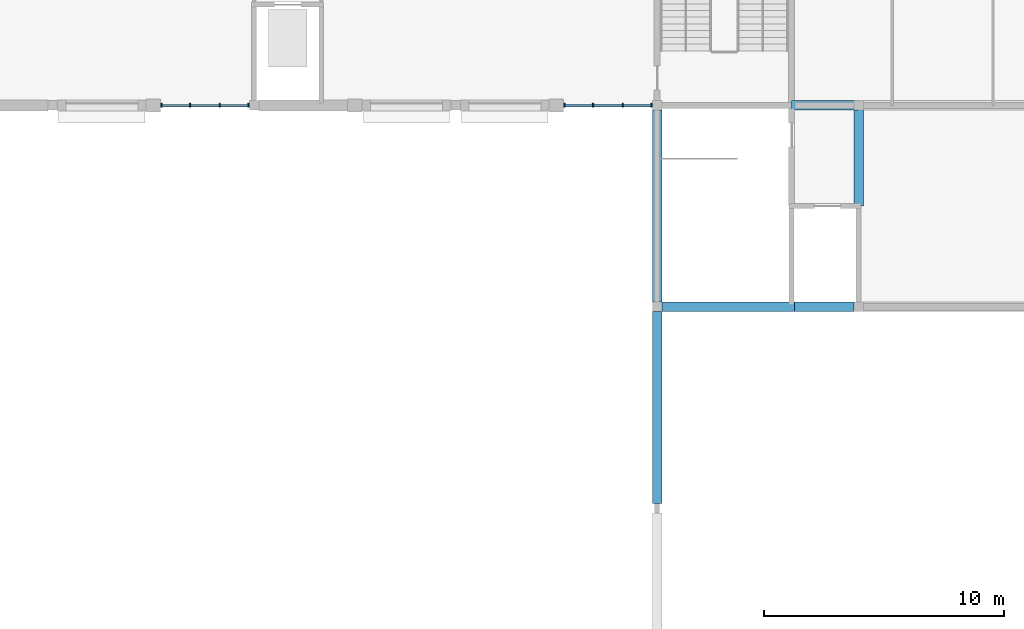
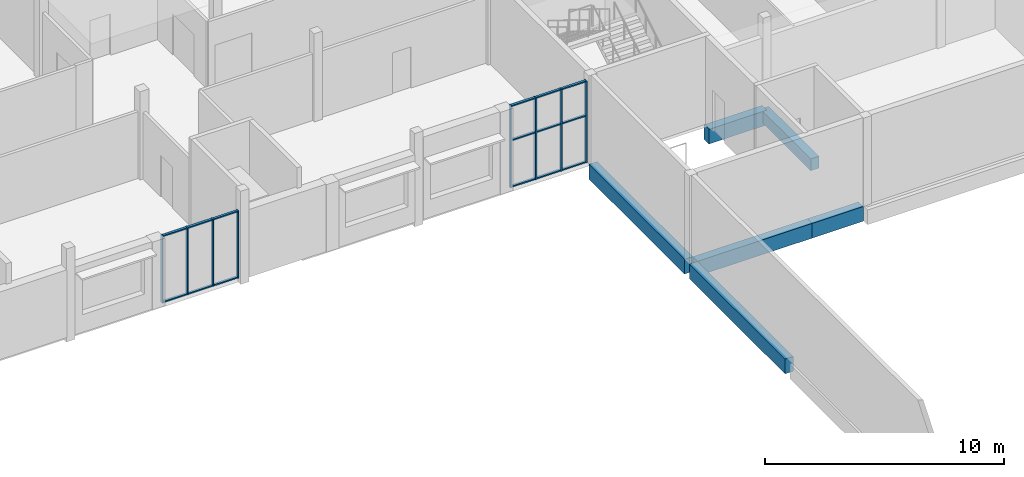
# One storey, part 43 of 101: 23 members, 6 beams, 2 elements without a shape of their own.
"""IFC4 building model written with IfcOpenShell, lengths in metres."""

import ifcopenshell
import ifcopenshell.guid

model = None  # the IFC model being written
_history = None  # IfcOwnerHistory: only IFC2X3 demands one
_inside = {}  # id of a spatial element -> (the spatial element, [elements in it])
_under = {}  # id of a project, library or spatial element -> (it, [spatial elements below it])
_declared = {}  # id of a project -> (the project, [libraries it declares])
_typed = {}  # id of a type object -> (the type object, [elements of that type])
_made_of = {}  # id of a material, layer set ... -> (it, [elements and type objects made of it])


def new_model(schema):
    """Start an empty IFC model of exactly this schema.

    Asked for "IFC4X3", IfcOpenShell would pick the latest addendum, in which some entities
    have other attributes; the version numbers below select the first issue.
    IFC2X3 requires an IfcOwnerHistory on every rooted entity: one is made here for all.
    """
    global model, _history
    if schema == "IFC4X3":
        model = ifcopenshell.file(schema_version=(4, 3, 0, 0))
    else:
        model = ifcopenshell.file(schema=schema)
    _inside.clear()
    _under.clear()
    _declared.clear()
    _typed.clear()
    _made_of.clear()
    _history = None
    if model.schema == "IFC2X3":
        org = make("IfcOrganization", Name="unknown")
        user = make(
            "IfcPersonAndOrganization",
            ThePerson=make("IfcPerson", FamilyName="unknown"),
            TheOrganization=org,
        )
        app = make(
            "IfcApplication",
            ApplicationDeveloper=org,
            Version="unknown",
            ApplicationFullName="unknown",
            ApplicationIdentifier="unknown",
        )
        _history = make(
            "IfcOwnerHistory",
            OwningUser=user,
            OwningApplication=app,
            ChangeAction="ADDED",
            CreationDate=0,
        )
    return model


def make(cls, **values):
    """One entity of the class cls with the attributes given. An attribute that is None is left unset."""
    return model.create_entity(
        cls, **{name: value for name, value in values.items() if value is not None}
    )


def rooted(cls, **values):
    """An entity with a GlobalId (a new one), such as an element, a storey or a relation."""
    return make(cls, GlobalId=ifcopenshell.guid.new(), OwnerHistory=_history, **values)


def si_unit(unit_type, name, prefix=None):
    """IfcSIUnit, for example si_unit("LENGTHUNIT", "METRE", prefix="MILLI")."""
    return make("IfcSIUnit", UnitType=unit_type, Prefix=prefix, Name=name)


def assignment(units):
    """IfcUnitAssignment: the units of a project."""
    return None if units is None else make("IfcUnitAssignment", Units=units)


def point(xyz):
    """IfcCartesianPoint."""
    return None if xyz is None else make("IfcCartesianPoint", Coordinates=xyz)


def direction(xyz):
    """IfcDirection."""
    return None if xyz is None else make("IfcDirection", DirectionRatios=xyz)


def frame(location, z_axis=None, x_axis=None):
    """IfcAxis2Placement3D, a coordinate frame: its origin and axes. An axis left out is left unset."""
    return make(
        "IfcAxis2Placement3D",
        Location=point(location),
        Axis=direction(z_axis),
        RefDirection=direction(x_axis),
    )


def frame_2d(location, x_axis=None):
    """IfcAxis2Placement2D, a coordinate frame in the plane: its origin and x axis."""
    return make(
        "IfcAxis2Placement2D", Location=point(location), RefDirection=direction(x_axis)
    )


def origin():
    """The frame at (0, 0, 0) with its axes left unset."""
    return frame((0.0, 0.0, 0.0))


def origin_2d():
    """The frame at (0, 0) in the plane with its x axis left unset."""
    return frame_2d((0.0, 0.0))


def place(relative_to, where):
    """IfcLocalPlacement: puts the frame where relative to a parent placement (None: the world)."""
    return make(
        "IfcLocalPlacement", PlacementRelTo=relative_to, RelativePlacement=where
    )


def context(
    kind, dimensions, precision=None, world=None, true_north=None, identifier=None
):
    """IfcGeometricRepresentationContext, for example the 3D "Model" context."""
    return make(
        "IfcGeometricRepresentationContext",
        ContextIdentifier=identifier,
        ContextType=kind,
        CoordinateSpaceDimension=dimensions,
        Precision=precision,
        WorldCoordinateSystem=world,
        TrueNorth=true_north,
    )


def subcontext(parent, identifier, kind, view, scale=None):
    """IfcGeometricRepresentationSubContext, for example "Body" below "Model"."""
    return make(
        "IfcGeometricRepresentationSubContext",
        ContextIdentifier=identifier,
        ContextType=kind,
        ParentContext=parent,
        TargetScale=scale,
        TargetView=view,
    )


def project(units=None, contexts=None):
    """IfcProject with its units and contexts."""
    return rooted(
        "IfcProject",
        Name="project",
        RepresentationContexts=contexts,
        UnitsInContext=assignment(units),
    )


def spatial(cls, under=None, at=None, **own):
    """A site, building, storey or space (cls), placed at a placement, below another one or the project."""
    s = rooted(cls, ObjectPlacement=at, **own)
    if under is not None:
        _under.setdefault(under.id(), (under, []))[1].append(s)
    return s


def profile(cls, at=None, kind="AREA", **sizes):
    """A parametric profile (cls). Its sizes go by their IFC names, for example OverallWidth=200.0."""
    return make(cls, ProfileType=kind, Position=at, **sizes)


def rectangle(**sizes):
    """IfcRectangleProfileDef."""
    return profile("IfcRectangleProfileDef", **sizes)


def extrude(swept, where, along, depth):
    """IfcExtrudedAreaSolid: the profile swept, set in the frame where, extruded along a direction by depth."""
    return make(
        "IfcExtrudedAreaSolid",
        SweptArea=swept,
        Position=where,
        ExtrudedDirection=direction(along),
        Depth=depth,
    )


def shape(context_of_items, identifier, shape_type, items):
    """IfcShapeRepresentation: the items that make up one representation, for example the "Body"."""
    return make(
        "IfcShapeRepresentation",
        ContextOfItems=context_of_items,
        RepresentationIdentifier=identifier,
        RepresentationType=shape_type,
        Items=items,
    )


def material(Name=None, Category=None):
    """IfcMaterial."""
    return make("IfcMaterial", Name=Name, Category=Category)


def material_profile(
    of_material, cross_section, Name=None, Category=None, Priority=None
):
    """IfcMaterialProfile: a cross section and its material."""
    return make(
        "IfcMaterialProfile",
        Name=Name,
        Material=of_material,
        Profile=cross_section,
        Priority=Priority,
        Category=Category,
    )


def profile_set(profiles, Name=None, composite=None):
    """IfcMaterialProfileSet."""
    return make(
        "IfcMaterialProfileSet",
        Name=Name,
        MaterialProfiles=profiles,
        CompositeProfile=composite,
    )


def made_of(thing, what):
    """Note that an element or type object is made of a material, layer set ...; save() writes the relation."""
    if what is not None:
        _made_of.setdefault(what.id(), (what, []))[1].append(thing)
    return thing


def type_object(cls, material=None, **own):
    """A type object (cls), such as IfcWallType, which elements share."""
    return made_of(rooted(cls, **own), material)


def element(
    cls,
    number,
    at=None,
    inside=None,
    cuts=None,
    type_object=None,
    material=None,
    context=None,
    identifier="Body",
    shape_type=None,
    held_by="IfcProductDefinitionShape",
    body=None,
    shapes=None,
    **own,
):
    """One element of the class cls, such as IfcWall. Its Tag is "e" and its number.

    at: its placement. inside: the storey or other place that contains it. cuts: it is an
    opening in that element (IfcRelVoidsElement). A single representation is given by context,
    identifier, shape_type and body (its items); several are given by shapes. held_by: the class
    of the entity that holds the representations. save() writes the other relations.
    """
    e = rooted(cls, Tag="e%d" % number, ObjectPlacement=at, **own)
    if body is not None:
        shapes = [shape(context, identifier, shape_type, body)]
    if shapes is not None:
        e.Representation = make(held_by, Representations=shapes)
    if inside is not None:
        _inside.setdefault(inside.id(), (inside, []))[1].append(e)
    if cuts is not None:
        rooted(
            "IfcRelVoidsElement", RelatingBuildingElement=cuts, RelatedOpeningElement=e
        )
    if type_object is not None:
        _typed.setdefault(type_object.id(), (type_object, []))[1].append(e)
    return made_of(e, material)


def aggregate(whole, parts):
    """IfcRelAggregates: a whole, such as a stair, and the parts it consists of."""
    return rooted("IfcRelAggregates", RelatingObject=whole, RelatedObjects=parts)


def save(model, path):
    """Write the relations noted so far, then the file.

    IfcRelAggregates (storeys below a building ...), IfcRelContainedInSpatialStructure (elements
    in a storey), IfcRelDefinesByType, IfcRelAssociatesMaterial and IfcRelDeclares: one each for
    every whole, place, type object, material and project.
    """
    for whole, parts in _under.values():
        aggregate(whole, parts)
    for where, things in _inside.values():
        rooted(
            "IfcRelContainedInSpatialStructure",
            RelatedElements=things,
            RelatingStructure=where,
        )
    for kind, things in _typed.values():
        rooted("IfcRelDefinesByType", RelatedObjects=things, RelatingType=kind)
    for what, things in _made_of.values():
        rooted("IfcRelAssociatesMaterial", RelatedObjects=things, RelatingMaterial=what)
    for by, libraries in _declared.values():
        rooted("IfcRelDeclares", RelatingContext=by, RelatedDefinitions=libraries)
    model.write(path)


model = new_model("IFC4")

# Units and contexts
model_context = context("Model", 3, precision=1e-05, world=origin(), true_north=direction((0.0, 1.0)))
body_context = subcontext(model_context, "Body", "Model", "MODEL_VIEW")
ifc_project = project(units=[si_unit("LENGTHUNIT", "METRE"), si_unit("AREAUNIT", "SQUARE_METRE"), si_unit("VOLUMEUNIT", "CUBIC_METRE"), si_unit("PLANEANGLEUNIT", "RADIAN"), si_unit("MASSUNIT", "GRAM", prefix="KILO")], contexts=[model_context])

# Site, building, storey
site_placement = place(None, origin())
site = spatial("IfcSite", under=ifc_project, at=site_placement, CompositionType="ELEMENT")
building_placement = place(site_placement, origin())
building = spatial("IfcBuilding", under=site, at=building_placement, Name="Fescue Hill Polytechnic", CompositionType="ELEMENT")
storey_placement = place(building_placement, frame((0.0, 0.0, 9.0)))
storey = spatial("IfcBuildingStorey", under=building, at=storey_placement, Name="L02", CompositionType="ELEMENT", Elevation=9.0)

# Beams
ifc_material_1 = material(Name="Concrete 35 MPa", Category="concrete")
ifc_material_profile_1 = material_profile(ifc_material_1, rectangle(XDim=0.39990234375, YDim=0.60009765625, at=origin_2d()), Name="RC 400x600")
ifc_profile_set_1 = profile_set([ifc_material_profile_1], Name="Concrete 35 MPa")
beam_type_1 = type_object("IfcBeamType", Name="Beam RC 400x600", PredefinedType="BEAM", material=ifc_profile_set_1)
beam_1_placement = place(storey_placement, frame((100.800048828125, 105.0, -0.550048828125), z_axis=(0.0, 1.0, 0.0), x_axis=(-1.0, 0.0, 0.0)))
element("IfcBeam", 1, at=beam_1_placement, inside=storey, type_object=beam_type_1, Name="BM-L02-0118", PredefinedType="BEAM", context=body_context, shape_type="SweptSolid", body=[
    extrude(rectangle(XDim=0.39990234375, YDim=0.60009765625, at=origin_2d()), origin(), (0.0, 0.0, 1.0), 4.199951171875),
])
ifc_material_profile_2 = material_profile(ifc_material_1, rectangle(XDim=0.39990234375, YDim=0.75, at=origin_2d()), Name="RC 400x750")
ifc_profile_set_2 = profile_set([ifc_material_profile_2], Name="Concrete 35 MPa")
beam_type_2 = type_object("IfcBeamType", Name="Beam RC 400x750", PredefinedType="BEAM", material=ifc_profile_set_2)
beam_2_placement = place(storey_placement, frame((98.0, 109.199951171875, -0.625), z_axis=(1.0, 0.0, 0.0), x_axis=(0.0, 1.0, 0.0)))
element("IfcBeam", 2, at=beam_2_placement, inside=storey, type_object=beam_type_2, Name="BM-L02-0116", PredefinedType="BEAM", context=body_context, shape_type="SweptSolid", body=[
    extrude(rectangle(XDim=0.39990234375, YDim=0.75, at=origin_2d()), origin(), (0.0, 0.0, 1.0), 2.7900390625),
])
for number, where, z_axis, x_axis, name in (
    (3, (92.39990234375, 100.60009765625, -0.375), (0.0, -1.0, 0.0), (1.0, 0.0, 0.0), "BM-L02-0164"),
    (4, (92.39990234375, 101.0, -0.375), (0.0, 1.0, 0.0), (-1.0, 0.0, 0.0), "BM-L02-0165"),
):
    element("IfcBeam", number, at=place(storey_placement, frame(where, z_axis=z_axis, x_axis=x_axis)), inside=storey, type_object=beam_type_2, Name=name, PredefinedType="BEAM", context=body_context, shape_type="SweptSolid", body=[
        extrude(rectangle(XDim=0.39990234375, YDim=0.75, at=origin_2d()), origin(), (0.0, 0.0, 1.0), 8.0),
    ])
beam_3_placement = place(storey_placement, frame((92.60009765625, 100.800048828125, -0.375), z_axis=(1.0, 0.0, 0.0), x_axis=(0.0, 1.0, 0.0)))
element("IfcBeam", 5, at=beam_3_placement, inside=storey, type_object=beam_type_2, Name="BM-L02-0167", PredefinedType="BEAM", context=body_context, shape_type="SweptSolid", body=[
    extrude(rectangle(XDim=0.39990234375, YDim=0.75, at=origin_2d()), origin(), (0.0, 0.0, 1.0), 5.52490234375),
])
beam_4_placement = place(storey_placement, frame((98.125, 100.800048828125, -0.375), z_axis=(1.0, 0.0, 0.0), x_axis=(0.0, 1.0, 0.0)))
element("IfcBeam", 6, at=beam_4_placement, inside=storey, type_object=beam_type_2, Name="BM-L02-0168", PredefinedType="BEAM", context=body_context, shape_type="SweptSolid", body=[
    extrude(rectangle(XDim=0.39990234375, YDim=0.75, at=origin_2d()), origin(), (0.0, 0.0, 1.0), 2.47509765625),
])

# Curtain wall, members
ifc_material_2 = material(Name="Glass", Category="glass")
curtain_wall_type = type_object("IfcCurtainWallType", Name="Curtain wall structural glazing", PredefinedType="NOTDEFINED", material=ifc_material_2)
curtain_wall_1_placement = place(storey_placement, origin())
curtain_wall_1 = element("IfcCurtainWall", 7, at=curtain_wall_1_placement, inside=storey, type_object=curtain_wall_type, Name="CW-L02-V4b-X2", PredefinedType="NOTDEFINED")
ifc_material_3 = material(Name="Powder-coated aluminium", Category="aluminium")
ifc_material_profile_3 = material_profile(ifc_material_3, rectangle(XDim=0.159912109375, YDim=0.06005859375, at=origin_2d()), Name="Mullion aluminium 60x160")
ifc_profile_set_3 = profile_set([ifc_material_profile_3], Name="Powder-coated aluminium")
member_type_1 = type_object("IfcMemberType", Name="Mullion aluminium 60x160", PredefinedType="MULLION", material=ifc_profile_set_3)
member_1_placement = place(storey_placement, frame((88.530029296875, 109.199951171875, 0.0), z_axis=(0.0, 0.0, 1.0), x_axis=(0.0, 1.0, 0.0)))
member_1 = element("IfcMember", 8, at=member_1_placement, type_object=member_type_1, Name="CW170 mullion 1", PredefinedType="MULLION", context=body_context, shape_type="SweptSolid", body=[
    extrude(rectangle(XDim=0.159912109375, YDim=0.06005859375, at=origin_2d()), origin(), (0.0, 0.0, 1.0), 4.179931640625),
])
member_2_placement = place(storey_placement, frame((89.7333984375, 109.199951171875, 0.0), z_axis=(0.0, 0.0, 1.0), x_axis=(0.0, 1.0, 0.0)))
member_2 = element("IfcMember", 9, at=member_2_placement, type_object=member_type_1, Name="CW170 mullion 2", PredefinedType="MULLION", context=body_context, shape_type="SweptSolid", body=[
    extrude(rectangle(XDim=0.159912109375, YDim=0.06005859375, at=origin_2d()), origin(), (0.0, 0.0, 1.0), 4.179931640625),
])
member_3_placement = place(storey_placement, frame((90.966552734375, 109.199951171875, 0.0), z_axis=(0.0, 0.0, 1.0), x_axis=(0.0, 1.0, 0.0)))
member_3 = element("IfcMember", 10, at=member_3_placement, type_object=member_type_1, Name="CW170 mullion 3", PredefinedType="MULLION", context=body_context, shape_type="SweptSolid", body=[
    extrude(rectangle(XDim=0.159912109375, YDim=0.06005859375, at=origin_2d()), origin(), (0.0, 0.0, 1.0), 4.179931640625),
])
member_4_placement = place(storey_placement, frame((92.169921875, 109.199951171875, 0.0), z_axis=(0.0, 0.0, 1.0), x_axis=(0.0, 1.0, 0.0)))
member_4 = element("IfcMember", 11, at=member_4_placement, type_object=member_type_1, Name="CW170 mullion 4", PredefinedType="MULLION", context=body_context, shape_type="SweptSolid", body=[
    extrude(rectangle(XDim=0.159912109375, YDim=0.06005859375, at=origin_2d()), origin(), (0.0, 0.0, 1.0), 4.179931640625),
])

curtain_wall_2_placement = place(storey_placement, origin())
curtain_wall_2 = element("IfcCurtainWall", 12, at=curtain_wall_2_placement, inside=storey, type_object=curtain_wall_type, Name="CW-L02-V4b-X3", PredefinedType="NOTDEFINED")
member_5_placement = place(storey_placement, frame((71.72998046875, 109.199951171875, 0.0), z_axis=(0.0, 0.0, 1.0), x_axis=(0.0, 1.0, 0.0)))
member_5 = element("IfcMember", 13, at=member_5_placement, type_object=member_type_1, Name="CW176 mullion 1", PredefinedType="MULLION", context=body_context, shape_type="SweptSolid", body=[
    extrude(rectangle(XDim=0.159912109375, YDim=0.06005859375, at=origin_2d()), origin(), (0.0, 0.0, 1.0), 3.429931640625),
])
member_6_placement = place(storey_placement, frame((72.933349609375, 109.199951171875, 0.0), z_axis=(0.0, 0.0, 1.0), x_axis=(0.0, 1.0, 0.0)))
member_6 = element("IfcMember", 14, at=member_6_placement, type_object=member_type_1, Name="CW176 mullion 2", PredefinedType="MULLION", context=body_context, shape_type="SweptSolid", body=[
    extrude(rectangle(XDim=0.159912109375, YDim=0.06005859375, at=origin_2d()), origin(), (0.0, 0.0, 1.0), 3.429931640625),
])
member_7_placement = place(storey_placement, frame((74.166748046875, 109.199951171875, 0.0), z_axis=(0.0, 0.0, 1.0), x_axis=(0.0, 1.0, 0.0)))
member_7 = element("IfcMember", 15, at=member_7_placement, type_object=member_type_1, Name="CW176 mullion 3", PredefinedType="MULLION", context=body_context, shape_type="SweptSolid", body=[
    extrude(rectangle(XDim=0.159912109375, YDim=0.06005859375, at=origin_2d()), origin(), (0.0, 0.0, 1.0), 3.429931640625),
])
member_8_placement = place(storey_placement, frame((75.3701171875, 109.199951171875, 0.0), z_axis=(0.0, 0.0, 1.0), x_axis=(0.0, 1.0, 0.0)))
member_8 = element("IfcMember", 16, at=member_8_placement, type_object=member_type_1, Name="CW176 mullion 4", PredefinedType="MULLION", context=body_context, shape_type="SweptSolid", body=[
    extrude(rectangle(XDim=0.159912109375, YDim=0.06005859375, at=origin_2d()), origin(), (0.0, 0.0, 1.0), 3.429931640625),
])

# Member
ifc_material_profile_4 = material_profile(ifc_material_3, rectangle(XDim=0.1201171875, YDim=0.06005859375, at=origin_2d()), Name="Transom aluminium 60x120")
ifc_profile_set_4 = profile_set([ifc_material_profile_4], Name="Powder-coated aluminium")
member_type_2 = type_object("IfcMemberType", Name="Transom aluminium 60x120", PredefinedType="USERDEFINED", material=ifc_profile_set_4)
member_9_placement = place(storey_placement, frame((88.56005859375, 109.199951171875, 0.030029296875), z_axis=(1.0, 0.0, 0.0), x_axis=(0.0, 1.0, 0.0)))
member_9 = element("IfcMember", 17, at=member_9_placement, type_object=member_type_2, Name="CW170 transom 1.1", ObjectType="TRANSOM", PredefinedType="USERDEFINED", context=body_context, shape_type="SweptSolid", body=[
    extrude(rectangle(XDim=0.1201171875, YDim=0.06005859375, at=origin_2d()), origin(), (0.0, 0.0, 1.0), 1.143310546875),
])

member_10_placement = place(storey_placement, frame((88.56005859375, 109.199951171875, 2.39990234375), z_axis=(1.0, 0.0, 0.0), x_axis=(0.0, 1.0, 0.0)))
member_10 = element("IfcMember", 18, at=member_10_placement, type_object=member_type_2, Name="CW170 transom 1.2", ObjectType="TRANSOM", PredefinedType="USERDEFINED", context=body_context, shape_type="SweptSolid", body=[
    extrude(rectangle(XDim=0.1201171875, YDim=0.06005859375, at=origin_2d()), origin(), (0.0, 0.0, 1.0), 1.143310546875),
])

member_11_placement = place(storey_placement, frame((88.56005859375, 109.199951171875, 4.14990234375), z_axis=(1.0, 0.0, 0.0), x_axis=(0.0, 1.0, 0.0)))
member_11 = element("IfcMember", 19, at=member_11_placement, type_object=member_type_2, Name="CW170 transom 1.3", ObjectType="TRANSOM", PredefinedType="USERDEFINED", context=body_context, shape_type="SweptSolid", body=[
    extrude(rectangle(XDim=0.1201171875, YDim=0.06005859375, at=origin_2d()), origin(), (0.0, 0.0, 1.0), 1.143310546875),
])

member_12_placement = place(storey_placement, frame((89.763427734375, 109.199951171875, 0.030029296875), z_axis=(1.0, 0.0, 0.0), x_axis=(0.0, 1.0, 0.0)))
member_12 = element("IfcMember", 20, at=member_12_placement, type_object=member_type_2, Name="CW170 transom 2.1", ObjectType="TRANSOM", PredefinedType="USERDEFINED", context=body_context, shape_type="SweptSolid", body=[
    extrude(rectangle(XDim=0.1201171875, YDim=0.06005859375, at=origin_2d()), origin(), (0.0, 0.0, 1.0), 1.17333984375),
])

member_13_placement = place(storey_placement, frame((89.763427734375, 109.199951171875, 2.39990234375), z_axis=(1.0, 0.0, 0.0), x_axis=(0.0, 1.0, 0.0)))
member_13 = element("IfcMember", 21, at=member_13_placement, type_object=member_type_2, Name="CW170 transom 2.2", ObjectType="TRANSOM", PredefinedType="USERDEFINED", context=body_context, shape_type="SweptSolid", body=[
    extrude(rectangle(XDim=0.1201171875, YDim=0.06005859375, at=origin_2d()), origin(), (0.0, 0.0, 1.0), 1.17333984375),
])

member_14_placement = place(storey_placement, frame((89.763427734375, 109.199951171875, 4.14990234375), z_axis=(1.0, 0.0, 0.0), x_axis=(0.0, 1.0, 0.0)))
member_14 = element("IfcMember", 22, at=member_14_placement, type_object=member_type_2, Name="CW170 transom 2.3", ObjectType="TRANSOM", PredefinedType="USERDEFINED", context=body_context, shape_type="SweptSolid", body=[
    extrude(rectangle(XDim=0.1201171875, YDim=0.06005859375, at=origin_2d()), origin(), (0.0, 0.0, 1.0), 1.17333984375),
])

member_15_placement = place(storey_placement, frame((90.99658203125, 109.199951171875, 0.030029296875), z_axis=(1.0, 0.0, 0.0), x_axis=(0.0, 1.0, 0.0)))
member_15 = element("IfcMember", 23, at=member_15_placement, type_object=member_type_2, Name="CW170 transom 3.1", ObjectType="TRANSOM", PredefinedType="USERDEFINED", context=body_context, shape_type="SweptSolid", body=[
    extrude(rectangle(XDim=0.1201171875, YDim=0.06005859375, at=origin_2d()), origin(), (0.0, 0.0, 1.0), 1.143310546875),
])

member_16_placement = place(storey_placement, frame((90.99658203125, 109.199951171875, 2.39990234375), z_axis=(1.0, 0.0, 0.0), x_axis=(0.0, 1.0, 0.0)))
member_16 = element("IfcMember", 24, at=member_16_placement, type_object=member_type_2, Name="CW170 transom 3.2", ObjectType="TRANSOM", PredefinedType="USERDEFINED", context=body_context, shape_type="SweptSolid", body=[
    extrude(rectangle(XDim=0.1201171875, YDim=0.06005859375, at=origin_2d()), origin(), (0.0, 0.0, 1.0), 1.143310546875),
])

member_17_placement = place(storey_placement, frame((90.99658203125, 109.199951171875, 4.14990234375), z_axis=(1.0, 0.0, 0.0), x_axis=(0.0, 1.0, 0.0)))
member_17 = element("IfcMember", 25, at=member_17_placement, type_object=member_type_2, Name="CW170 transom 3.3", ObjectType="TRANSOM", PredefinedType="USERDEFINED", context=body_context, shape_type="SweptSolid", body=[
    extrude(rectangle(XDim=0.1201171875, YDim=0.06005859375, at=origin_2d()), origin(), (0.0, 0.0, 1.0), 1.143310546875),
])

aggregate(curtain_wall_1, [member_1, member_2, member_3, member_4, member_9, member_10, member_11, member_12, member_13, member_14, member_15, member_16, member_17])

member_18_placement = place(storey_placement, frame((71.760009765625, 109.199951171875, 0.030029296875), z_axis=(1.0, 0.0, 0.0), x_axis=(0.0, 1.0, 0.0)))
member_18 = element("IfcMember", 26, at=member_18_placement, type_object=member_type_2, Name="CW176 transom 1.1", ObjectType="TRANSOM", PredefinedType="USERDEFINED", context=body_context, shape_type="SweptSolid", body=[
    extrude(rectangle(XDim=0.1201171875, YDim=0.06005859375, at=origin_2d()), origin(), (0.0, 0.0, 1.0), 1.143310546875),
])

member_19_placement = place(storey_placement, frame((71.760009765625, 109.199951171875, 3.39990234375), z_axis=(1.0, 0.0, 0.0), x_axis=(0.0, 1.0, 0.0)))
member_19 = element("IfcMember", 27, at=member_19_placement, type_object=member_type_2, Name="CW176 transom 1.2", ObjectType="TRANSOM", PredefinedType="USERDEFINED", context=body_context, shape_type="SweptSolid", body=[
    extrude(rectangle(XDim=0.1201171875, YDim=0.06005859375, at=origin_2d()), origin(), (0.0, 0.0, 1.0), 1.143310546875),
])

member_20_placement = place(storey_placement, frame((72.96337890625, 109.199951171875, 0.030029296875), z_axis=(1.0, 0.0, 0.0), x_axis=(0.0, 1.0, 0.0)))
member_20 = element("IfcMember", 28, at=member_20_placement, type_object=member_type_2, Name="CW176 transom 2.1", ObjectType="TRANSOM", PredefinedType="USERDEFINED", context=body_context, shape_type="SweptSolid", body=[
    extrude(rectangle(XDim=0.1201171875, YDim=0.06005859375, at=origin_2d()), origin(), (0.0, 0.0, 1.0), 1.17333984375),
])

member_21_placement = place(storey_placement, frame((72.96337890625, 109.199951171875, 3.39990234375), z_axis=(1.0, 0.0, 0.0), x_axis=(0.0, 1.0, 0.0)))
member_21 = element("IfcMember", 29, at=member_21_placement, type_object=member_type_2, Name="CW176 transom 2.2", ObjectType="TRANSOM", PredefinedType="USERDEFINED", context=body_context, shape_type="SweptSolid", body=[
    extrude(rectangle(XDim=0.1201171875, YDim=0.06005859375, at=origin_2d()), origin(), (0.0, 0.0, 1.0), 1.17333984375),
])

member_22_placement = place(storey_placement, frame((74.19677734375, 109.199951171875, 0.030029296875), z_axis=(1.0, 0.0, 0.0), x_axis=(0.0, 1.0, 0.0)))
member_22 = element("IfcMember", 30, at=member_22_placement, type_object=member_type_2, Name="CW176 transom 3.1", ObjectType="TRANSOM", PredefinedType="USERDEFINED", context=body_context, shape_type="SweptSolid", body=[
    extrude(rectangle(XDim=0.1201171875, YDim=0.06005859375, at=origin_2d()), origin(), (0.0, 0.0, 1.0), 1.143310546875),
])

member_23_placement = place(storey_placement, frame((74.19677734375, 109.199951171875, 3.39990234375), z_axis=(1.0, 0.0, 0.0), x_axis=(0.0, 1.0, 0.0)))
member_23 = element("IfcMember", 31, at=member_23_placement, type_object=member_type_2, Name="CW176 transom 3.2", ObjectType="TRANSOM", PredefinedType="USERDEFINED", context=body_context, shape_type="SweptSolid", body=[
    extrude(rectangle(XDim=0.1201171875, YDim=0.06005859375, at=origin_2d()), origin(), (0.0, 0.0, 1.0), 1.143310546875),
])

aggregate(curtain_wall_2, [member_5, member_6, member_7, member_8, member_18, member_19, member_20, member_21, member_22, member_23])

save(model, "model.ifc")
